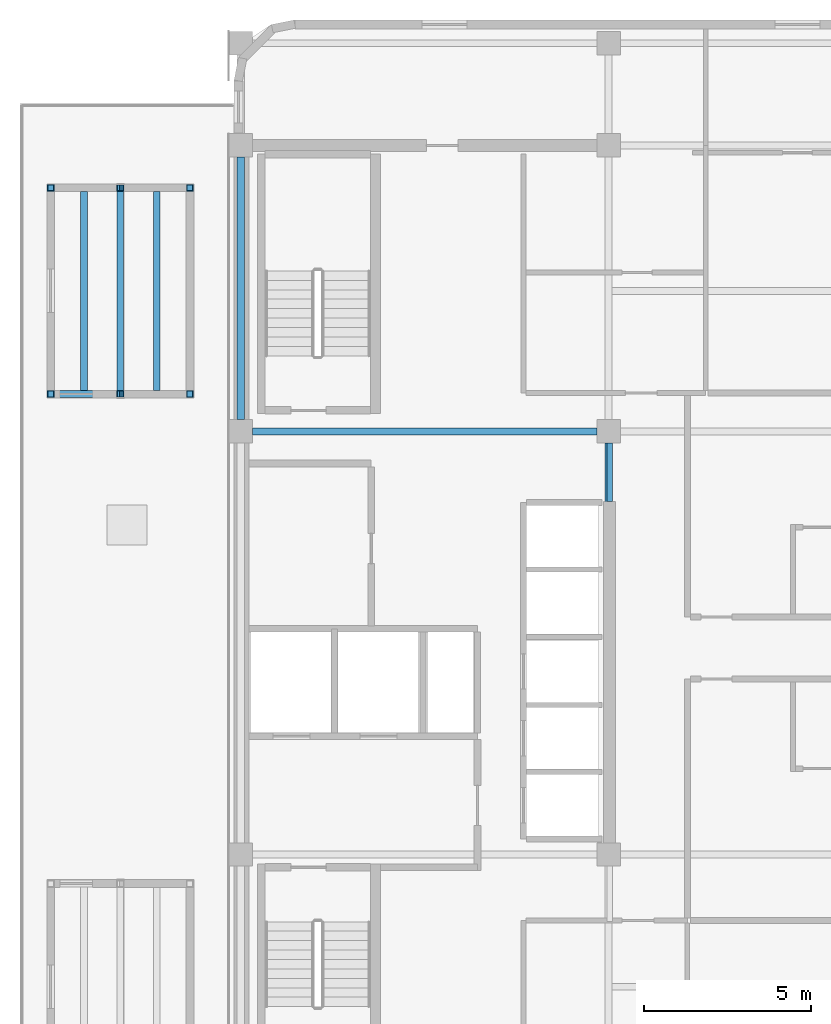
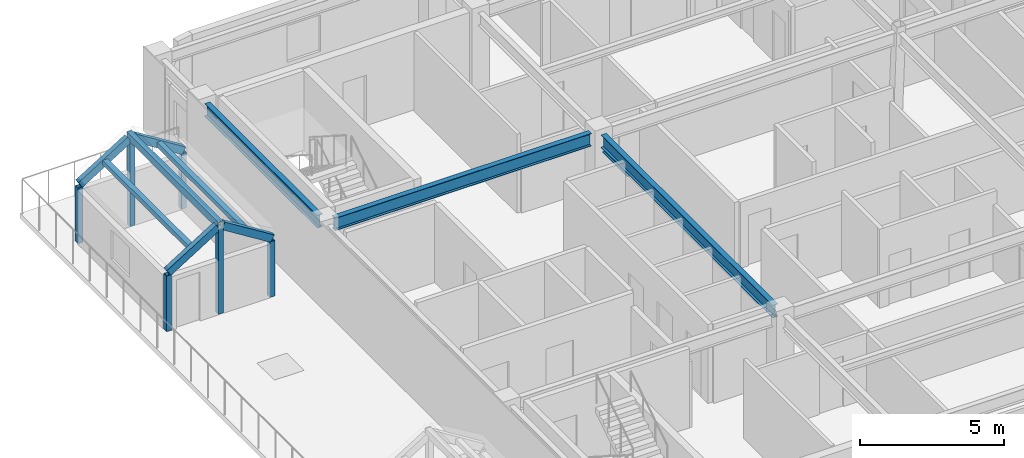
# One storey, part 4 of 13: 13 members, 4 beams.
"""IFC4 building model written with IfcOpenShell, lengths in metres."""

from ifc_helpers import new_model, si_unit, direction, frame, origin, origin_2d, place, context, subcontext, project, spatial, hollow_rectangle, i_section, extrude, material, material_profile, profile_set, type_object, element, save


model = new_model("IFC4")

# Units and contexts
model_context = context("Model", 3, precision=1e-05, world=origin(), true_north=direction((0.0, 1.0)))
body_context = subcontext(model_context, "Body", "Model", "MODEL_VIEW")
ifc_project = project(units=[si_unit("LENGTHUNIT", "METRE"), si_unit("AREAUNIT", "SQUARE_METRE"), si_unit("VOLUMEUNIT", "CUBIC_METRE"), si_unit("PLANEANGLEUNIT", "RADIAN"), si_unit("MASSUNIT", "GRAM", prefix="KILO")], contexts=[model_context])

# Site, building, storey
site_placement = place(None, origin())
site = spatial("IfcSite", under=ifc_project, at=site_placement, CompositionType="ELEMENT")
building_placement = place(site_placement, origin())
building = spatial("IfcBuilding", under=site, at=building_placement, Name="Ochreholt Gables", CompositionType="ELEMENT")
storey_placement = place(building_placement, frame((0.0, 0.0, 205.800048828125)))
storey = spatial("IfcBuildingStorey", under=building, at=storey_placement, Name="L53", CompositionType="ELEMENT", Elevation=205.800048828125)

# Beams
ifc_material = material(Name="Steel CSA G40.21 350W", Category="steel")
ifc_material_profile_1 = material_profile(ifc_material, i_section(OverallWidth=0.2109375, OverallDepth=0.5390625, WebThickness=0.01171875, FlangeThickness=0.018798828125, at=origin_2d()), Name="W530X109")
ifc_profile_set_1 = profile_set([ifc_material_profile_1], Name="Steel CSA G40.21 350W")
beam_type_1 = type_object("IfcBeamType", Name="BM-G-W530A", PredefinedType="BEAM", material=ifc_profile_set_1)
beam_1_placement = place(storey_placement, frame((24.549560546875, 30.199951171875, 3.09033203125), z_axis=(1.0, 0.0, 0.0), x_axis=(0.0, 1.0, 0.0)))
element("IfcBeam", 1, at=beam_1_placement, inside=storey, type_object=beam_type_1, Name="L53 Beam TBG-L53-C1C2-Y4", PredefinedType="BEAM", context=body_context, shape_type="SweptSolid", body=[
    extrude(i_section(OverallWidth=0.2109375, OverallDepth=0.5390625, WebThickness=0.01171875, FlangeThickness=0.018798828125, at=origin_2d()), origin(), (0.0, 0.0, 1.0), 10.30078125),
])
beam_2_placement = place(storey_placement, frame((24.199951171875, 30.549560546875, 3.09033203125), z_axis=(0.0, 1.0, 0.0), x_axis=(-1.0, 0.0, 0.0)))
element("IfcBeam", 2, at=beam_2_placement, inside=storey, type_object=beam_type_1, Name="L53 Beam TBN-L53-C1-Y4Y5", PredefinedType="BEAM", context=body_context, shape_type="SweptSolid", body=[
    extrude(i_section(OverallWidth=0.2109375, OverallDepth=0.5390625, WebThickness=0.01171875, FlangeThickness=0.018798828125, at=origin_2d()), origin(), (0.0, 0.0, 1.0), 7.850830078125),
])
beam_3_placement = place(storey_placement, frame((35.199951171875, 17.899658203125, 3.09033203125), z_axis=(0.0, 1.0, 0.0), x_axis=(-1.0, 0.0, 0.0)))
element("IfcBeam", 3, at=beam_3_placement, inside=storey, type_object=beam_type_1, Name="L53 Beam TBN-L53-C2-Y3Y4", PredefinedType="BEAM", context=body_context, shape_type="SweptSolid", body=[
    extrude(i_section(OverallWidth=0.2109375, OverallDepth=0.5390625, WebThickness=0.01171875, FlangeThickness=0.018798828125, at=origin_2d()), origin(), (0.0, 0.0, 1.0), 11.95068359375),
])
ifc_material_profile_2 = material_profile(ifc_material, i_section(OverallWidth=0.1650390625, OverallDepth=0.200927734375, WebThickness=0.006103515625, FlangeThickness=0.01025390625, at=origin_2d()), Name="W200X36")
ifc_profile_set_2 = profile_set([ifc_material_profile_2], Name="Steel CSA G40.21 350W")
beam_type_2 = type_object("IfcBeamType", Name="BM-LIN-W200", PredefinedType="LINTEL", material=ifc_profile_set_2)
beam_4_placement = place(storey_placement, frame((35.22509765625, 28.10009765625, 2.720458984375), z_axis=(0.0, 1.0, 0.0), x_axis=(-1.0, 0.0, 0.0)))
element("IfcBeam", 4, at=beam_4_placement, inside=storey, type_object=beam_type_2, Name="L53 Core Coupling Lintel CPN", PredefinedType="LINTEL", context=body_context, shape_type="SweptSolid", body=[
    extrude(i_section(OverallWidth=0.1650390625, OverallDepth=0.200927734375, WebThickness=0.006103515625, FlangeThickness=0.01025390625, at=origin_2d()), origin(), (0.0, 0.0, 1.0), 1.75),
])

# Members
ifc_material_profile_3 = material_profile(ifc_material, hollow_rectangle(XDim=0.202880859375, YDim=0.202880859375, WallThickness=0.009521484375, at=origin_2d()), Name="HSS203X203X10")
ifc_profile_set_3 = profile_set([ifc_material_profile_3], Name="Steel CSA G40.21 350W")
member_type_1 = type_object("IfcMemberType", Name="MEM-GB-PR1", PredefinedType="PURLIN", material=ifc_profile_set_3)
for number, where, z_axis, x_axis, name in (
    (5, (19.509521484375, 31.39697265625, 3.1044921875), (0.0, 1.0, 0.0), (-1.0, 0.0, 0.0), "L53 Gable West Purlin GB-53W2"),
    (6, (21.690673828125, 31.39697265625, 3.1044921875), (0.0, 1.0, 0.0), (-1.0, 0.0, 0.0), "L53 Gable East Purlin GB-53W2"),
):
    element("IfcMember", number, at=place(storey_placement, frame(where, z_axis=z_axis, x_axis=x_axis)), inside=storey, type_object=member_type_1, Name=name, PredefinedType="PURLIN", context=body_context, shape_type="SweptSolid", body=[
        extrude(hollow_rectangle(XDim=0.202880859375, YDim=0.202880859375, WallThickness=0.009521484375, at=origin_2d()), origin(), (0.0, 0.0, 1.0), 6.006103515625),
    ])
ifc_material_profile_4 = material_profile(ifc_material, hollow_rectangle(XDim=0.202880859375, YDim=0.202880859375, WallThickness=0.009521484375, at=origin_2d()), Name="HSS203X203X10")
ifc_profile_set_4 = profile_set([ifc_material_profile_4], Name="Steel CSA G40.21 350W")
member_type_2 = type_object("IfcMemberType", Name="MEM-GB-PT2", PredefinedType="POST", material=ifc_profile_set_4)
for number, where, z_axis, x_axis, name in (
    (7, (18.52001953125, 31.320068359375, 0.0), (0.0, 0.0, 1.0), (1.0, 0.0, 0.0), "L53 Gable Pavilion Post GB-53W2-P1"),
    (8, (22.679931640625, 31.320068359375, 0.0), (0.0, 0.0, 1.0), (1.0, 0.0, 0.0), "L53 Gable Pavilion Post GB-53W2-P2"),
    (9, (22.679931640625, 37.47998046875, 0.0), (0.0, 0.0, 1.0), (1.0, 0.0, 0.0), "L53 Gable Pavilion Post GB-53W2-P3"),
    (10, (18.52001953125, 37.47998046875, 0.0), (0.0, 0.0, 1.0), (1.0, 0.0, 0.0), "L53 Gable Pavilion Post GB-53W2-P4"),
):
    element("IfcMember", number, at=place(storey_placement, frame(where, z_axis=z_axis, x_axis=x_axis)), inside=storey, type_object=member_type_2, Name=name, PredefinedType="POST", context=body_context, shape_type="SweptSolid", body=[
        extrude(hollow_rectangle(XDim=0.202880859375, YDim=0.202880859375, WallThickness=0.009521484375, at=origin_2d()), origin(), (0.0, 0.0, 1.0), 2.36083984375),
    ])
for number, where, z_axis, x_axis, name in (
    (11, (20.60009765625, 31.320068359375, 0.0), (0.0, 0.0, 1.0), (1.0, 0.0, 0.0), "L53 Gable Ridge Post GB-53W2-PRG1"),
    (12, (20.60009765625, 37.47998046875, 0.0), (0.0, 0.0, 1.0), (1.0, 0.0, 0.0), "L53 Gable Ridge Post GB-53W2-PRG2"),
):
    element("IfcMember", number, at=place(storey_placement, frame(where, z_axis=z_axis, x_axis=x_axis)), inside=storey, type_object=member_type_2, Name=name, PredefinedType="POST", context=body_context, shape_type="SweptSolid", body=[
        extrude(hollow_rectangle(XDim=0.202880859375, YDim=0.202880859375, WallThickness=0.009521484375, at=origin_2d()), origin(), (0.0, 0.0, 1.0), 3.629638671875),
    ])
ifc_material_profile_5 = material_profile(ifc_material, hollow_rectangle(XDim=0.202880859375, YDim=0.304931640625, WallThickness=0.0126953125, at=origin_2d()), Name="HSS305X203X13")
ifc_profile_set_5 = profile_set([ifc_material_profile_5], Name="Steel CSA G40.21 350W")
member_type_3 = type_object("IfcMemberType", Name="MEM-GB-RF1", PredefinedType="RAFTER", material=ifc_profile_set_5)
for number, where, z_axis, x_axis, name in (
    (13, (18.52001953125, 31.320068359375, 2.46435546875), (0.847980670212, 0.0, 0.530027153028), (0.0, 1.0, 0.0), "L53 Gable West Rafter 1 GB-53W2"),
    (14, (22.679931640625, 31.320068359375, 2.46435546875), (-0.847980670212, 0.0, 0.530027153028), (0.0, -1.0, 0.0), "L53 Gable East Rafter 1 GB-53W2"),
    (15, (18.52001953125, 37.47998046875, 2.46435546875), (0.847980670212, 0.0, 0.530027153028), (0.0, 1.0, 0.0), "L53 Gable West Rafter 2 GB-53W2"),
    (16, (22.679931640625, 37.47998046875, 2.46435546875), (-0.847980670212, 0.0, 0.530027153028), (0.0, -1.0, 0.0), "L53 Gable East Rafter 2 GB-53W2"),
):
    element("IfcMember", number, at=place(storey_placement, frame(where, z_axis=z_axis, x_axis=x_axis)), inside=storey, type_object=member_type_3, Name=name, PredefinedType="RAFTER", context=body_context, shape_type="SweptSolid", body=[
        extrude(hollow_rectangle(XDim=0.202880859375, YDim=0.304931640625, WallThickness=0.0126953125, at=origin_2d()), origin(), (0.0, 0.0, 1.0), 2.33349609375),
    ])
ifc_material_profile_6 = material_profile(ifc_material, hollow_rectangle(XDim=0.202880859375, YDim=0.304931640625, WallThickness=0.0126953125, at=origin_2d()), Name="HSS305X203X13")
ifc_profile_set_6 = profile_set([ifc_material_profile_6], Name="Steel CSA G40.21 350W")
member_type_4 = type_object("IfcMemberType", Name="MEM-GB-RF1E", PredefinedType="RAFTER", material=ifc_profile_set_6)
member_placement = place(storey_placement, frame((20.60009765625, 31.219970703125, 3.76416015625), z_axis=(0.0, 1.0, 0.0), x_axis=(-1.0, 0.0, 0.0)))
element("IfcMember", 17, at=member_placement, inside=storey, type_object=member_type_4, Name="L53 Gable Ridge Member GB-53W2", PredefinedType="RAFTER", context=body_context, shape_type="SweptSolid", body=[
    extrude(hollow_rectangle(XDim=0.202880859375, YDim=0.304931640625, WallThickness=0.0126953125, at=origin_2d()), origin(), (0.0, 0.0, 1.0), 6.360107421875),
])

save(model, "model.ifc")
